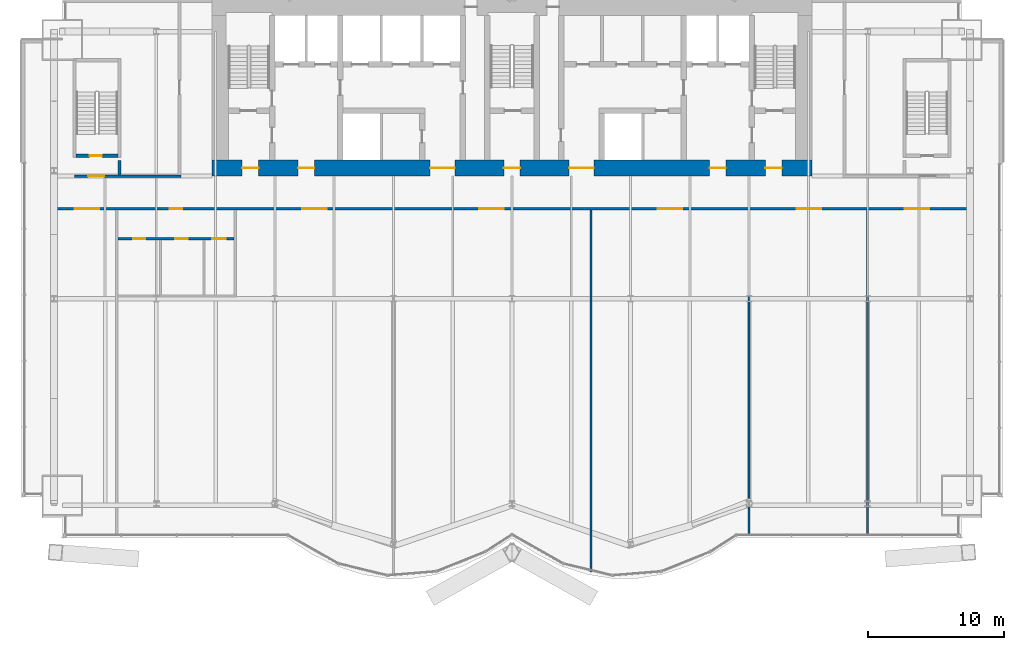
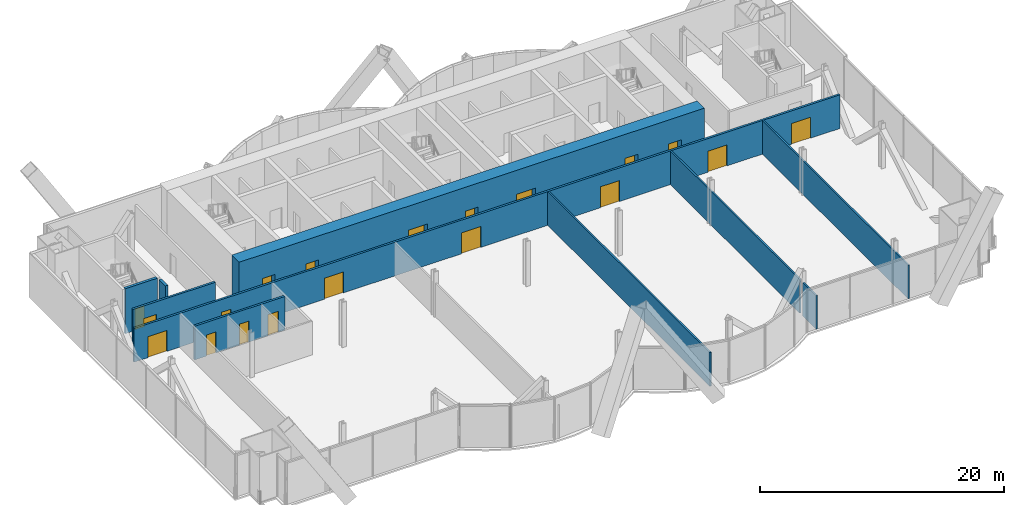
# One storey, part 15 of 21: 19 doors, 10 walls, 19 openings.
"""IFC4 building model written with IfcOpenShell, lengths in metres."""

from ifc_helpers import new_model, si_unit, direction, frame, frame_2d, origin, place, context, subcontext, project, spatial, rectangle, extrude, material, layer, layer_set, type_object, element, fill, save


model = new_model("IFC4")

# Units and contexts
model_context = context("Model", 3, precision=1e-05, world=origin(), true_north=direction((0.0, 1.0)))
body_context = subcontext(model_context, "Body", "Model", "MODEL_VIEW")
ifc_project = project(units=[si_unit("LENGTHUNIT", "METRE"), si_unit("AREAUNIT", "SQUARE_METRE"), si_unit("VOLUMEUNIT", "CUBIC_METRE"), si_unit("PLANEANGLEUNIT", "RADIAN"), si_unit("MASSUNIT", "GRAM", prefix="KILO")], contexts=[model_context])

# Site, building, storey
site_placement = place(None, origin())
site = spatial("IfcSite", under=ifc_project, at=site_placement, CompositionType="ELEMENT")
building_placement = place(site_placement, origin())
building = spatial("IfcBuilding", under=site, at=building_placement, Name="Bicima Exchange Tower", CompositionType="ELEMENT")
storey_placement = place(building_placement, frame((0.0, 0.0, 80.0)))
storey = spatial("IfcBuildingStorey", under=building, at=storey_placement, Name="L16", CompositionType="ELEMENT", Elevation=80.0)

# Wall, openings, doors
ifc_material_1 = material(Name="Gypsum board partition")
ifc_layer_1 = layer(ifc_material_1, 0.199951171875)
ifc_layer_set_1 = layer_set([ifc_layer_1], Name="Gypsum board partition")
wall_type_1 = type_object("IfcWallType", Name="Fire-rated gypsum partition 200 EI60", PredefinedType="PARTITIONING", material=ifc_layer_set_1)
wall_1_placement = place(storey_placement, frame((-28.89990234375, -17.60009765625, 0.0), z_axis=(0.0, 0.0, 1.0), x_axis=(1.0, 0.0, 0.0)))
wall_1 = element("IfcWall", 1, at=wall_1_placement, inside=storey, type_object=wall_type_1, Name="partition wall 2", PredefinedType="PARTITIONING", context=body_context, shape_type="SweptSolid", body=[
    extrude(rectangle(XDim=8.5, YDim=0.199951171875, at=frame_2d((4.25, 0.0))), origin(), (0.0, 0.0, 1.0), 3.3681640625),
])
opening_1_placement = place(wall_1_placement, frame((1.10009765625, 0.0, 0.0)))
opening_1 = element("IfcOpeningElement", 2, at=opening_1_placement, cuts=wall_1, Name="Opening L16-009", PredefinedType="OPENING", context=body_context, shape_type="SweptSolid", body=[
    extrude(rectangle(XDim=0.89990234375, YDim=2.10009765625, at=frame_2d((0.449951171875, 1.050048828125))), frame((0.0, 0.11181640625, 0.0), z_axis=(0.0, -1.0, 0.0), x_axis=(1.0, 0.0, 0.0)), (0.0, 0.0, 1.0), 0.223876953125),
])
opening_2_placement = place(wall_1_placement, frame((4.199951171875, 0.0, 0.0)))
opening_2 = element("IfcOpeningElement", 3, at=opening_2_placement, cuts=wall_1, Name="Opening L16-010", PredefinedType="OPENING", context=body_context, shape_type="SweptSolid", body=[
    extrude(rectangle(XDim=0.89990234375, YDim=2.10009765625, at=frame_2d((0.449951171875, 1.050048828125))), frame((0.0, 0.11181640625, 0.0), z_axis=(0.0, -1.0, 0.0), x_axis=(1.0, 0.0, 0.0)), (0.0, 0.0, 1.0), 0.223876953125),
])
opening_3_placement = place(wall_1_placement, frame((6.89990234375, 0.0, 0.0)))
opening_3 = element("IfcOpeningElement", 4, at=opening_3_placement, cuts=wall_1, Name="Opening L16-011", PredefinedType="OPENING", context=body_context, shape_type="SweptSolid", body=[
    extrude(rectangle(XDim=1.0, YDim=2.10009765625, at=frame_2d((0.5, 1.050048828125))), frame((0.0, 0.11181640625, 0.0), z_axis=(0.0, -1.0, 0.0), x_axis=(1.0, 0.0, 0.0)), (0.0, 0.0, 1.0), 0.223876953125),
])
ifc_material_2 = material(Name="Steel fire door leaf", Category="steel")
door_type_1 = type_object("IfcDoorType", Name="Door 1000 swing FD30S", OperationType="SINGLE_SWING_LEFT", PredefinedType="DOOR", material=ifc_material_2)
door_1_placement = place(opening_3_placement, frame((1.0, 0.0, 0.0), z_axis=(0.0, 0.0, 1.0), x_axis=(-1.0, 0.0, 0.0)))
door_1 = element("IfcDoor", 5, at=door_1_placement, inside=storey, type_object=door_type_1, Name="Door", OperationType="SINGLE_SWING_RIGHT", OverallHeight=2.10009765625, OverallWidth=1.0, PredefinedType="DOOR", context=body_context, shape_type="SweptSolid", body=[
    extrude(rectangle(XDim=1.0, YDim=2.10009765625, at=frame_2d((0.5, 1.050048828125))), frame((0.0, 0.02490234375, 0.0), z_axis=(0.0, -1.0, 0.0), x_axis=(1.0, 0.0, 0.0)), (0.0, 0.0, 1.0), 0.050048828125),
])
fill(opening_3, door_1)
door_type_2 = type_object("IfcDoorType", Name="Door 900 swing FD30S", OperationType="SINGLE_SWING_LEFT", PredefinedType="DOOR", material=ifc_material_2)
door_2_placement = place(opening_1_placement, frame((0.89990234375, 0.0, 0.0), z_axis=(0.0, 0.0, 1.0), x_axis=(-1.0, 0.0, 0.0)))
door_2 = element("IfcDoor", 6, at=door_2_placement, inside=storey, type_object=door_type_2, Name="Door", OperationType="SINGLE_SWING_RIGHT", OverallHeight=2.10009765625, OverallWidth=0.89990234375, PredefinedType="DOOR", context=body_context, shape_type="SweptSolid", body=[
    extrude(rectangle(XDim=0.89990234375, YDim=2.10009765625, at=frame_2d((0.449951171875, 1.050048828125))), frame((0.0, 0.02490234375, 0.0), z_axis=(0.0, -1.0, 0.0), x_axis=(1.0, 0.0, 0.0)), (0.0, 0.0, 1.0), 0.050048828125),
])
fill(opening_1, door_2)
door_3_placement = place(opening_2_placement, frame((0.89990234375, 0.0, 0.0), z_axis=(0.0, 0.0, 1.0), x_axis=(-1.0, 0.0, 0.0)))
door_3 = element("IfcDoor", 7, at=door_3_placement, inside=storey, type_object=door_type_2, Name="Door", OperationType="SINGLE_SWING_LEFT", OverallHeight=2.10009765625, OverallWidth=0.89990234375, PredefinedType="DOOR", context=body_context, shape_type="SweptSolid", body=[
    extrude(rectangle(XDim=0.89990234375, YDim=2.10009765625, at=frame_2d((0.449951171875, 1.050048828125))), frame((0.0, 0.02490234375, 0.0), z_axis=(0.0, -1.0, 0.0), x_axis=(1.0, 0.0, 0.0)), (0.0, 0.0, 1.0), 0.050048828125),
])
fill(opening_2, door_3)

wall_2_placement = place(storey_placement, frame((-33.3701171875, -15.39990234375, 0.0), z_axis=(0.0, 0.0, 1.0), x_axis=(1.0, 0.0, 0.0)))
wall_2 = element("IfcWall", 8, at=wall_2_placement, inside=storey, type_object=wall_type_1, Name="partition wall 3", PredefinedType="PARTITIONING", context=body_context, shape_type="SweptSolid", body=[
    extrude(rectangle(XDim=66.740234375, YDim=0.199951171875, at=frame_2d((33.3701171875, 0.0))), origin(), (0.0, 0.0, 1.0), 3.3681640625),
])
opening_4_placement = place(wall_2_placement, frame((1.300048828125, 0.0, 0.0)))
opening_4 = element("IfcOpeningElement", 9, at=opening_4_placement, cuts=wall_2, Name="Opening L16-007", PredefinedType="OPENING", context=body_context, shape_type="SweptSolid", body=[
    extrude(rectangle(XDim=1.800048828125, YDim=2.10009765625, at=frame_2d((0.89990234375, 1.050048828125))), frame((0.0, 0.11181640625, 0.0), z_axis=(0.0, -1.0, 0.0), x_axis=(1.0, 0.0, 0.0)), (0.0, 0.0, 1.0), 0.223876953125),
])
opening_5_placement = place(wall_2_placement, frame((8.27001953125, 0.0, 0.0)))
opening_5 = element("IfcOpeningElement", 10, at=opening_5_placement, cuts=wall_2, Name="Opening L16-008", PredefinedType="OPENING", context=body_context, shape_type="SweptSolid", body=[
    extrude(rectangle(XDim=0.89990234375, YDim=2.10009765625, at=frame_2d((0.449951171875, 1.050048828125))), frame((0.0, 0.11181640625, 0.0), z_axis=(0.0, -1.0, 0.0), x_axis=(1.0, 0.0, 0.0)), (0.0, 0.0, 1.0), 0.223876953125),
])
opening_6_placement = place(wall_2_placement, frame((17.969970703125, 0.0, 0.0)))
opening_6 = element("IfcOpeningElement", 11, at=opening_6_placement, cuts=wall_2, Name="Opening L16-012", PredefinedType="OPENING", context=body_context, shape_type="SweptSolid", body=[
    extrude(rectangle(XDim=1.800048828125, YDim=2.10009765625, at=frame_2d((0.89990234375, 1.050048828125))), frame((0.0, 0.11181640625, 0.0), z_axis=(0.0, -1.0, 0.0), x_axis=(1.0, 0.0, 0.0)), (0.0, 0.0, 1.0), 0.223876953125),
])
opening_7_placement = place(wall_2_placement, frame((30.969970703125, 0.0, 0.0)))
opening_7 = element("IfcOpeningElement", 12, at=opening_7_placement, cuts=wall_2, Name="Opening L16-013", PredefinedType="OPENING", context=body_context, shape_type="SweptSolid", body=[
    extrude(rectangle(XDim=1.800048828125, YDim=2.10009765625, at=frame_2d((0.89990234375, 1.050048828125))), frame((0.0, 0.11181640625, 0.0), z_axis=(0.0, -1.0, 0.0), x_axis=(1.0, 0.0, 0.0)), (0.0, 0.0, 1.0), 0.223876953125),
])
opening_8_placement = place(wall_2_placement, frame((44.070068359375, 0.0, 0.0)))
opening_8 = element("IfcOpeningElement", 13, at=opening_8_placement, cuts=wall_2, Name="Opening L16-014", PredefinedType="OPENING", context=body_context, shape_type="SweptSolid", body=[
    extrude(rectangle(XDim=1.800048828125, YDim=2.10009765625, at=frame_2d((0.89990234375, 1.050048828125))), frame((0.0, 0.11181640625, 0.0), z_axis=(0.0, -1.0, 0.0), x_axis=(1.0, 0.0, 0.0)), (0.0, 0.0, 1.0), 0.223876953125),
])
opening_9_placement = place(wall_2_placement, frame((54.27001953125, 0.0, 0.0)))
opening_9 = element("IfcOpeningElement", 14, at=opening_9_placement, cuts=wall_2, Name="Opening L16-015", PredefinedType="OPENING", context=body_context, shape_type="SweptSolid", body=[
    extrude(rectangle(XDim=1.800048828125, YDim=2.10009765625, at=frame_2d((0.89990234375, 1.050048828125))), frame((0.0, 0.11181640625, 0.0), z_axis=(0.0, -1.0, 0.0), x_axis=(1.0, 0.0, 0.0)), (0.0, 0.0, 1.0), 0.223876953125),
])
opening_10_placement = place(wall_2_placement, frame((62.169921875, 0.0, 0.0)))
opening_10 = element("IfcOpeningElement", 15, at=opening_10_placement, cuts=wall_2, Name="Opening L16-016", PredefinedType="OPENING", context=body_context, shape_type="SweptSolid", body=[
    extrude(rectangle(XDim=1.800048828125, YDim=2.10009765625, at=frame_2d((0.89990234375, 1.050048828125))), frame((0.0, 0.11181640625, 0.0), z_axis=(0.0, -1.0, 0.0), x_axis=(1.0, 0.0, 0.0)), (0.0, 0.0, 1.0), 0.223876953125),
])
door_type_3 = type_object("IfcDoorType", Name="Door 1800 double swing FD30S", OperationType="DOUBLE_DOOR_SINGLE_SWING", PredefinedType="DOOR", material=ifc_material_2)
door_4_placement = place(opening_4_placement, origin())
door_4 = element("IfcDoor", 16, at=door_4_placement, inside=storey, type_object=door_type_3, Name="Door", OperationType="SINGLE_SWING_LEFT", OverallHeight=2.10009765625, OverallWidth=1.800048828125, PredefinedType="DOOR", context=body_context, shape_type="SweptSolid", body=[
    extrude(rectangle(XDim=1.800048828125, YDim=2.10009765625, at=frame_2d((0.89990234375, 1.050048828125))), frame((0.0, 0.02490234375, 0.0), z_axis=(0.0, -1.0, 0.0), x_axis=(1.0, 0.0, 0.0)), (0.0, 0.0, 1.0), 0.050048828125),
])
fill(opening_4, door_4)
door_5_placement = place(opening_6_placement, origin())
door_5 = element("IfcDoor", 17, at=door_5_placement, inside=storey, type_object=door_type_3, Name="Door", OperationType="SINGLE_SWING_LEFT", OverallHeight=2.10009765625, OverallWidth=1.800048828125, PredefinedType="DOOR", context=body_context, shape_type="SweptSolid", body=[
    extrude(rectangle(XDim=1.800048828125, YDim=2.10009765625, at=frame_2d((0.89990234375, 1.050048828125))), frame((0.0, 0.02490234375, 0.0), z_axis=(0.0, -1.0, 0.0), x_axis=(1.0, 0.0, 0.0)), (0.0, 0.0, 1.0), 0.050048828125),
])
fill(opening_6, door_5)
door_6_placement = place(opening_7_placement, origin())
door_6 = element("IfcDoor", 18, at=door_6_placement, inside=storey, type_object=door_type_3, Name="Door", OperationType="SINGLE_SWING_LEFT", OverallHeight=2.10009765625, OverallWidth=1.800048828125, PredefinedType="DOOR", context=body_context, shape_type="SweptSolid", body=[
    extrude(rectangle(XDim=1.800048828125, YDim=2.10009765625, at=frame_2d((0.89990234375, 1.050048828125))), frame((0.0, 0.02490234375, 0.0), z_axis=(0.0, -1.0, 0.0), x_axis=(1.0, 0.0, 0.0)), (0.0, 0.0, 1.0), 0.050048828125),
])
fill(opening_7, door_6)
door_7_placement = place(opening_8_placement, origin())
door_7 = element("IfcDoor", 19, at=door_7_placement, inside=storey, type_object=door_type_3, Name="Door", OperationType="SINGLE_SWING_LEFT", OverallHeight=2.10009765625, OverallWidth=1.800048828125, PredefinedType="DOOR", context=body_context, shape_type="SweptSolid", body=[
    extrude(rectangle(XDim=1.800048828125, YDim=2.10009765625, at=frame_2d((0.89990234375, 1.050048828125))), frame((0.0, 0.02490234375, 0.0), z_axis=(0.0, -1.0, 0.0), x_axis=(1.0, 0.0, 0.0)), (0.0, 0.0, 1.0), 0.050048828125),
])
fill(opening_8, door_7)
door_8_placement = place(opening_9_placement, origin())
door_8 = element("IfcDoor", 20, at=door_8_placement, inside=storey, type_object=door_type_3, Name="Door", OperationType="SINGLE_SWING_LEFT", OverallHeight=2.10009765625, OverallWidth=1.800048828125, PredefinedType="DOOR", context=body_context, shape_type="SweptSolid", body=[
    extrude(rectangle(XDim=1.800048828125, YDim=2.10009765625, at=frame_2d((0.89990234375, 1.050048828125))), frame((0.0, 0.02490234375, 0.0), z_axis=(0.0, -1.0, 0.0), x_axis=(1.0, 0.0, 0.0)), (0.0, 0.0, 1.0), 0.050048828125),
])
fill(opening_9, door_8)
door_9_placement = place(opening_10_placement, origin())
door_9 = element("IfcDoor", 21, at=door_9_placement, inside=storey, type_object=door_type_3, Name="Door", OperationType="SINGLE_SWING_LEFT", OverallHeight=2.10009765625, OverallWidth=1.800048828125, PredefinedType="DOOR", context=body_context, shape_type="SweptSolid", body=[
    extrude(rectangle(XDim=1.800048828125, YDim=2.10009765625, at=frame_2d((0.89990234375, 1.050048828125))), frame((0.0, 0.02490234375, 0.0), z_axis=(0.0, -1.0, 0.0), x_axis=(1.0, 0.0, 0.0)), (0.0, 0.0, 1.0), 0.050048828125),
])
fill(opening_10, door_9)
door_10_placement = place(opening_5_placement, frame((0.89990234375, 0.0, 0.0), z_axis=(0.0, 0.0, 1.0), x_axis=(-1.0, 0.0, 0.0)))
door_10 = element("IfcDoor", 22, at=door_10_placement, inside=storey, type_object=door_type_2, Name="Door", OperationType="SINGLE_SWING_RIGHT", OverallHeight=2.10009765625, OverallWidth=0.89990234375, PredefinedType="DOOR", context=body_context, shape_type="SweptSolid", body=[
    extrude(rectangle(XDim=0.89990234375, YDim=2.10009765625, at=frame_2d((0.449951171875, 1.050048828125))), frame((0.0, 0.02490234375, 0.0), z_axis=(0.0, -1.0, 0.0), x_axis=(1.0, 0.0, 0.0)), (0.0, 0.0, 1.0), 0.050048828125),
])
fill(opening_5, door_10)

# Wall, opening, door
wall_3_placement = place(storey_placement, frame((-32.10009765625, -13.0, 0.0), z_axis=(0.0, 0.0, 1.0), x_axis=(1.0, 0.0, 0.0)))
wall_3 = element("IfcWall", 23, at=wall_3_placement, inside=storey, type_object=wall_type_1, Name="partition wall 4", PredefinedType="PARTITIONING", context=body_context, shape_type="SweptSolid", body=[
    extrude(rectangle(XDim=7.800048828125, YDim=0.199951171875, at=frame_2d((3.89990234375, 0.0))), origin(), (0.0, 0.0, 1.0), 3.3681640625),
])
opening_11_placement = place(wall_3_placement, frame((1.0, 0.0, 0.0)))
opening_11 = element("IfcOpeningElement", 24, at=opening_11_placement, cuts=wall_3, Name="Opening L16-001", PredefinedType="OPENING", context=body_context, shape_type="SweptSolid", body=[
    extrude(rectangle(XDim=1.199951171875, YDim=2.10009765625, at=frame_2d((0.60009765625, 1.050048828125))), frame((0.0, 0.11181640625, 0.0), z_axis=(0.0, -1.0, 0.0), x_axis=(1.0, 0.0, 0.0)), (0.0, 0.0, 1.0), 0.223876953125),
])
door_type_4 = type_object("IfcDoorType", Name="Door 1200 swing FD30S", OperationType="SINGLE_SWING_LEFT", PredefinedType="DOOR", material=ifc_material_2)
door_11_placement = place(opening_11_placement, origin())
door_11 = element("IfcDoor", 25, at=door_11_placement, inside=storey, type_object=door_type_4, Name="Door", OperationType="SINGLE_SWING_LEFT", OverallHeight=2.10009765625, OverallWidth=1.199951171875, PredefinedType="DOOR", context=body_context, shape_type="SweptSolid", body=[
    extrude(rectangle(XDim=1.199951171875, YDim=2.10009765625, at=frame_2d((0.60009765625, 1.050048828125))), frame((0.0, 0.02490234375, 0.0), z_axis=(0.0, -1.0, 0.0), x_axis=(1.0, 0.0, 0.0)), (0.0, 0.0, 1.0), 0.050048828125),
])
fill(opening_11, door_11)

# Walls
ifc_layer_2 = layer(ifc_material_1, 0.14990234375)
ifc_layer_set_2 = layer_set([ifc_layer_2], Name="Gypsum board partition")
wall_type_2 = type_object("IfcWallType", Name="Gypsum partition 150", PredefinedType="PARTITIONING", material=ifc_layer_set_2)
wall_4_placement = place(storey_placement, frame((5.800048828125, -42.06005859375, 0.0), z_axis=(0.0, 0.0, 1.0), x_axis=(0.0, 1.0, 0.0)))
element("IfcWall", 26, at=wall_4_placement, inside=storey, type_object=wall_type_2, Name="partition wall 21", PredefinedType="PARTITIONING", context=body_context, shape_type="SweptSolid", body=[
    extrude(rectangle(XDim=26.56005859375, YDim=0.14990234375, at=frame_2d((13.280029296875, 0.0))), origin(), (0.0, 0.0, 1.0), 3.3681640625),
])
wall_5_placement = place(storey_placement, frame((17.39990234375, -39.35009765625, 0.0), z_axis=(0.0, 0.0, 1.0), x_axis=(0.0, 1.0, 0.0)))
element("IfcWall", 27, at=wall_5_placement, inside=storey, type_object=wall_type_2, Name="partition wall 22", PredefinedType="PARTITIONING", context=body_context, shape_type="SweptSolid", body=[
    extrude(rectangle(XDim=2.190185546875, YDim=0.14990234375, at=frame_2d((1.09521484375, 0.0))), origin(), (0.0, 0.0, 1.0), 3.3681640625),
])
wall_6_placement = place(storey_placement, frame((17.39990234375, -36.672119140625, 0.0), z_axis=(0.0, 0.0, 1.0), x_axis=(0.0, 1.0, 0.0)))
element("IfcWall", 28, at=wall_6_placement, inside=storey, type_object=wall_type_2, Name="partition wall 23", PredefinedType="PARTITIONING", context=body_context, shape_type="SweptSolid", body=[
    extrude(rectangle(XDim=21.172119140625, YDim=0.14990234375, at=frame_2d((10.5859375, 0.0))), origin(), (0.0, 0.0, 1.0), 3.3681640625),
])
wall_7_placement = place(storey_placement, frame((26.10009765625, -39.35009765625, 0.0), z_axis=(0.0, 0.0, 1.0), x_axis=(0.0, 1.0, 0.0)))
element("IfcWall", 29, at=wall_7_placement, inside=storey, type_object=wall_type_2, Name="partition wall 25", PredefinedType="PARTITIONING", context=body_context, shape_type="SweptSolid", body=[
    extrude(rectangle(XDim=23.85009765625, YDim=0.14990234375, at=frame_2d((11.925048828125, 0.0))), origin(), (0.0, 0.0, 1.0), 3.3681640625),
])

# Wall, openings, doors
ifc_material_3 = material(Name="Concrete C60/75", Category="concrete")
ifc_layer_3 = layer(ifc_material_3, 1.199951171875)
ifc_layer_set_3 = layer_set([ifc_layer_3], Name="Concrete C60/75")
wall_type_3 = type_object("IfcWallType", Name="RC core wall 1200 C60/75", PredefinedType="SHEAR", material=ifc_layer_set_3)
wall_8_placement = place(storey_placement, frame((-22.0, -12.39990234375, 0.0), z_axis=(0.0, 0.0, 1.0), x_axis=(1.0, 0.0, 0.0)))
wall_8 = element("IfcWall", 30, at=wall_8_placement, inside=storey, type_object=wall_type_3, Name="Core wall south", PredefinedType="SHEAR", context=body_context, shape_type="SweptSolid", body=[
    extrude(rectangle(XDim=44.0, YDim=1.199951171875, at=frame_2d((22.0, 0.0))), origin(), (0.0, 0.0, 1.0), 4.5),
])
opening_12_placement = place(wall_8_placement, frame((2.199951171875, 0.0, 0.0)))
opening_12 = element("IfcOpeningElement", 31, at=opening_12_placement, cuts=wall_8, Name="Opening L16-C19", PredefinedType="OPENING", context=body_context, shape_type="SweptSolid", body=[
    extrude(rectangle(XDim=1.199951171875, YDim=2.10009765625, at=frame_2d((0.60009765625, 1.050048828125))), frame((0.0, 0.61181640625, 0.0), z_axis=(0.0, -1.0, 0.0), x_axis=(1.0, 0.0, 0.0)), (0.0, 0.0, 1.0), 1.223876953125),
])
opening_13_placement = place(wall_8_placement, frame((21.39990234375, 0.0, 0.0)))
opening_13 = element("IfcOpeningElement", 32, at=opening_13_placement, cuts=wall_8, Name="Opening L16-C20", PredefinedType="OPENING", context=body_context, shape_type="SweptSolid", body=[
    extrude(rectangle(XDim=1.199951171875, YDim=2.10009765625, at=frame_2d((0.60009765625, 1.050048828125))), frame((0.0, 0.61181640625, 0.0), z_axis=(0.0, -1.0, 0.0), x_axis=(1.0, 0.0, 0.0)), (0.0, 0.0, 1.0), 1.223876953125),
])
opening_14_placement = place(wall_8_placement, frame((40.60009765625, 0.0, 0.0)))
opening_14 = element("IfcOpeningElement", 33, at=opening_14_placement, cuts=wall_8, Name="Opening L16-C21", PredefinedType="OPENING", context=body_context, shape_type="SweptSolid", body=[
    extrude(rectangle(XDim=1.199951171875, YDim=2.10009765625, at=frame_2d((0.60009765625, 1.050048828125))), frame((0.0, 0.61181640625, 0.0), z_axis=(0.0, -1.0, 0.0), x_axis=(1.0, 0.0, 0.0)), (0.0, 0.0, 1.0), 1.223876953125),
])
opening_15_placement = place(wall_8_placement, frame((16.0, 0.0, 0.0)))
opening_15 = element("IfcOpeningElement", 34, at=opening_15_placement, cuts=wall_8, Name="Opening L16-C22", PredefinedType="OPENING", context=body_context, shape_type="SweptSolid", body=[
    extrude(rectangle(XDim=1.800048828125, YDim=2.10009765625, at=frame_2d((0.89990234375, 1.050048828125))), frame((0.0, 0.61181640625, 0.0), z_axis=(0.0, -1.0, 0.0), x_axis=(1.0, 0.0, 0.0)), (0.0, 0.0, 1.0), 1.223876953125),
])
opening_16_placement = place(wall_8_placement, frame((6.300048828125, 0.0, 0.0)))
opening_16 = element("IfcOpeningElement", 35, at=opening_16_placement, cuts=wall_8, Name="Opening L16-C23", PredefinedType="OPENING", context=body_context, shape_type="SweptSolid", body=[
    extrude(rectangle(XDim=1.199951171875, YDim=2.10009765625, at=frame_2d((0.60009765625, 1.050048828125))), frame((0.0, 0.61181640625, 0.0), z_axis=(0.0, -1.0, 0.0), x_axis=(1.0, 0.0, 0.0)), (0.0, 0.0, 1.0), 1.223876953125),
])
opening_17_placement = place(wall_8_placement, frame((26.199951171875, 0.0, 0.0)))
opening_17 = element("IfcOpeningElement", 36, at=opening_17_placement, cuts=wall_8, Name="Opening L16-C24", PredefinedType="OPENING", context=body_context, shape_type="SweptSolid", body=[
    extrude(rectangle(XDim=1.800048828125, YDim=2.10009765625, at=frame_2d((0.89990234375, 1.050048828125))), frame((0.0, 0.61181640625, 0.0), z_axis=(0.0, -1.0, 0.0), x_axis=(1.0, 0.0, 0.0)), (0.0, 0.0, 1.0), 1.223876953125),
])
opening_18_placement = place(wall_8_placement, frame((36.5, 0.0, 0.0)))
opening_18 = element("IfcOpeningElement", 37, at=opening_18_placement, cuts=wall_8, Name="Opening L16-C25", PredefinedType="OPENING", context=body_context, shape_type="SweptSolid", body=[
    extrude(rectangle(XDim=1.199951171875, YDim=2.10009765625, at=frame_2d((0.60009765625, 1.050048828125))), frame((0.0, 0.61181640625, 0.0), z_axis=(0.0, -1.0, 0.0), x_axis=(1.0, 0.0, 0.0)), (0.0, 0.0, 1.0), 1.223876953125),
])
door_type_5 = type_object("IfcDoorType", Name="Door 1200 swing FD60S", OperationType="SINGLE_SWING_LEFT", PredefinedType="DOOR", material=ifc_material_2)
door_12_placement = place(opening_12_placement, frame((1.199951171875, 0.0, 0.0), z_axis=(0.0, 0.0, 1.0), x_axis=(-1.0, 0.0, 0.0)))
door_12 = element("IfcDoor", 38, at=door_12_placement, inside=storey, type_object=door_type_5, Name="Core door", OperationType="SINGLE_SWING_RIGHT", OverallHeight=2.10009765625, OverallWidth=1.199951171875, PredefinedType="DOOR", context=body_context, shape_type="SweptSolid", body=[
    extrude(rectangle(XDim=1.199951171875, YDim=2.10009765625, at=frame_2d((0.60009765625, 1.050048828125))), frame((0.0, 0.02490234375, 0.0), z_axis=(0.0, -1.0, 0.0), x_axis=(1.0, 0.0, 0.0)), (0.0, 0.0, 1.0), 0.050048828125),
])
fill(opening_12, door_12)
door_13_placement = place(opening_13_placement, frame((1.199951171875, 0.0, 0.0), z_axis=(0.0, 0.0, 1.0), x_axis=(-1.0, 0.0, 0.0)))
door_13 = element("IfcDoor", 39, at=door_13_placement, inside=storey, type_object=door_type_5, Name="Core door", OperationType="SINGLE_SWING_RIGHT", OverallHeight=2.10009765625, OverallWidth=1.199951171875, PredefinedType="DOOR", context=body_context, shape_type="SweptSolid", body=[
    extrude(rectangle(XDim=1.199951171875, YDim=2.10009765625, at=frame_2d((0.60009765625, 1.050048828125))), frame((0.0, 0.02490234375, 0.0), z_axis=(0.0, -1.0, 0.0), x_axis=(1.0, 0.0, 0.0)), (0.0, 0.0, 1.0), 0.050048828125),
])
fill(opening_13, door_13)
door_14_placement = place(opening_14_placement, frame((1.199951171875, 0.0, 0.0), z_axis=(0.0, 0.0, 1.0), x_axis=(-1.0, 0.0, 0.0)))
door_14 = element("IfcDoor", 40, at=door_14_placement, inside=storey, type_object=door_type_5, Name="Core door", OperationType="SINGLE_SWING_RIGHT", OverallHeight=2.10009765625, OverallWidth=1.199951171875, PredefinedType="DOOR", context=body_context, shape_type="SweptSolid", body=[
    extrude(rectangle(XDim=1.199951171875, YDim=2.10009765625, at=frame_2d((0.60009765625, 1.050048828125))), frame((0.0, 0.02490234375, 0.0), z_axis=(0.0, -1.0, 0.0), x_axis=(1.0, 0.0, 0.0)), (0.0, 0.0, 1.0), 0.050048828125),
])
fill(opening_14, door_14)
door_15_placement = place(opening_16_placement, frame((1.199951171875, 0.0, 0.0), z_axis=(0.0, 0.0, 1.0), x_axis=(-1.0, 0.0, 0.0)))
door_15 = element("IfcDoor", 41, at=door_15_placement, inside=storey, type_object=door_type_5, Name="Core door", OperationType="SINGLE_SWING_RIGHT", OverallHeight=2.10009765625, OverallWidth=1.199951171875, PredefinedType="DOOR", context=body_context, shape_type="SweptSolid", body=[
    extrude(rectangle(XDim=1.199951171875, YDim=2.10009765625, at=frame_2d((0.60009765625, 1.050048828125))), frame((0.0, 0.02490234375, 0.0), z_axis=(0.0, -1.0, 0.0), x_axis=(1.0, 0.0, 0.0)), (0.0, 0.0, 1.0), 0.050048828125),
])
fill(opening_16, door_15)
door_16_placement = place(opening_18_placement, frame((1.199951171875, 0.0, 0.0), z_axis=(0.0, 0.0, 1.0), x_axis=(-1.0, 0.0, 0.0)))
door_16 = element("IfcDoor", 42, at=door_16_placement, inside=storey, type_object=door_type_5, Name="Core door", OperationType="SINGLE_SWING_RIGHT", OverallHeight=2.10009765625, OverallWidth=1.199951171875, PredefinedType="DOOR", context=body_context, shape_type="SweptSolid", body=[
    extrude(rectangle(XDim=1.199951171875, YDim=2.10009765625, at=frame_2d((0.60009765625, 1.050048828125))), frame((0.0, 0.02490234375, 0.0), z_axis=(0.0, -1.0, 0.0), x_axis=(1.0, 0.0, 0.0)), (0.0, 0.0, 1.0), 0.050048828125),
])
fill(opening_18, door_16)
door_17_placement = place(opening_15_placement, origin())
door_17 = element("IfcDoor", 43, at=door_17_placement, inside=storey, type_object=door_type_3, Name="Core door", OperationType="SINGLE_SWING_LEFT", OverallHeight=2.10009765625, OverallWidth=1.800048828125, PredefinedType="DOOR", context=body_context, shape_type="SweptSolid", body=[
    extrude(rectangle(XDim=1.800048828125, YDim=2.10009765625, at=frame_2d((0.89990234375, 1.050048828125))), frame((0.0, 0.02490234375, 0.0), z_axis=(0.0, -1.0, 0.0), x_axis=(1.0, 0.0, 0.0)), (0.0, 0.0, 1.0), 0.050048828125),
])
fill(opening_15, door_17)
door_18_placement = place(opening_17_placement, origin())
door_18 = element("IfcDoor", 44, at=door_18_placement, inside=storey, type_object=door_type_3, Name="Core door", OperationType="SINGLE_SWING_LEFT", OverallHeight=2.10009765625, OverallWidth=1.800048828125, PredefinedType="DOOR", context=body_context, shape_type="SweptSolid", body=[
    extrude(rectangle(XDim=1.800048828125, YDim=2.10009765625, at=frame_2d((0.89990234375, 1.050048828125))), frame((0.0, 0.02490234375, 0.0), z_axis=(0.0, -1.0, 0.0), x_axis=(1.0, 0.0, 0.0)), (0.0, 0.0, 1.0), 0.050048828125),
])
fill(opening_17, door_18)

# Wall
ifc_material_4 = material(Name="Concrete C50/60", Category="concrete")
ifc_layer_4 = layer(ifc_material_4, 0.25)
ifc_layer_set_4 = layer_set([ifc_layer_4], Name="Concrete C50/60")
wall_type_4 = type_object("IfcWallType", Name="RC core wall 250 C50/60", PredefinedType="SHEAR", material=ifc_layer_set_4)
wall_9_placement = place(storey_placement, frame((-28.800048828125, -12.89990234375, 0.0), z_axis=(0.0, 0.0, 1.0), x_axis=(0.0, 1.0, 0.0)))
element("IfcWall", 45, at=wall_9_placement, inside=storey, type_object=wall_type_4, Name="stair wall 14", PredefinedType="SHEAR", context=body_context, shape_type="SweptSolid", body=[
    extrude(rectangle(XDim=1.0498046875, YDim=0.25, at=frame_2d((0.52490234375, 0.0))), origin(), (0.0, 0.0, 1.0), 4.5),
])

# Wall, opening, door
ifc_layer_5 = layer(ifc_material_4, 0.25)
ifc_layer_set_5 = layer_set([ifc_layer_5], Name="Concrete C50/60")
wall_type_5 = type_object("IfcWallType", Name="RC stair enclosure wall 250 C50/60", PredefinedType="SHEAR", material=ifc_layer_set_5)
wall_10_placement = place(storey_placement, frame((-31.97509765625, -11.5, 0.0), z_axis=(0.0, 0.0, 1.0), x_axis=(1.0, 0.0, 0.0)))
wall_10 = element("IfcWall", 46, at=wall_10_placement, inside=storey, type_object=wall_type_5, Name="West end exit stair wall S", PredefinedType="SHEAR", context=body_context, shape_type="SweptSolid", body=[
    extrude(rectangle(XDim=3.050048828125, YDim=0.25, at=frame_2d((1.52490234375, 0.0))), origin(), (0.0, 0.0, 1.0), 4.5),
])
opening_19_placement = place(wall_10_placement, frame((0.97509765625, 0.0, 0.0)))
opening_19 = element("IfcOpeningElement", 47, at=opening_19_placement, cuts=wall_10, Name="Opening L16-002", PredefinedType="OPENING", context=body_context, shape_type="SweptSolid", body=[
    extrude(rectangle(XDim=0.89990234375, YDim=2.10009765625, at=frame_2d((0.449951171875, 1.050048828125))), frame((0.0, 0.136962890625, 0.0), z_axis=(0.0, -1.0, 0.0), x_axis=(1.0, 0.0, 0.0)), (0.0, 0.0, 1.0), 0.27392578125),
])
door_type_6 = type_object("IfcDoorType", Name="Door 900 swing FD60S", OperationType="SINGLE_SWING_LEFT", PredefinedType="DOOR", material=ifc_material_2)
door_19_placement = place(opening_19_placement, origin())
door_19 = element("IfcDoor", 48, at=door_19_placement, inside=storey, type_object=door_type_6, Name="Door", OperationType="SINGLE_SWING_LEFT", OverallHeight=2.10009765625, OverallWidth=0.89990234375, PredefinedType="DOOR", context=body_context, shape_type="SweptSolid", body=[
    extrude(rectangle(XDim=0.89990234375, YDim=2.10009765625, at=frame_2d((0.449951171875, 1.050048828125))), frame((0.0, 0.02490234375, 0.0), z_axis=(0.0, -1.0, 0.0), x_axis=(1.0, 0.0, 0.0)), (0.0, 0.0, 1.0), 0.050048828125),
])
fill(opening_19, door_19)

save(model, "model.ifc")
